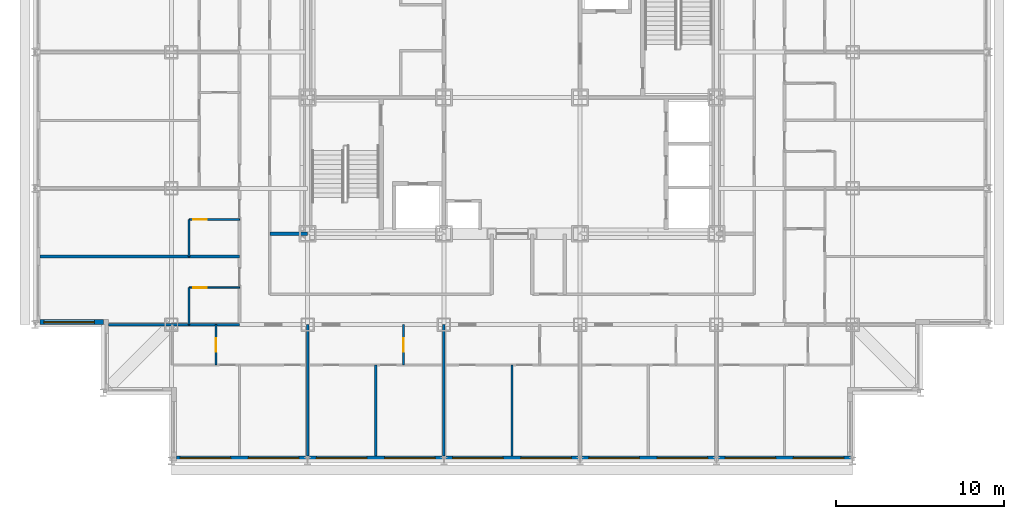
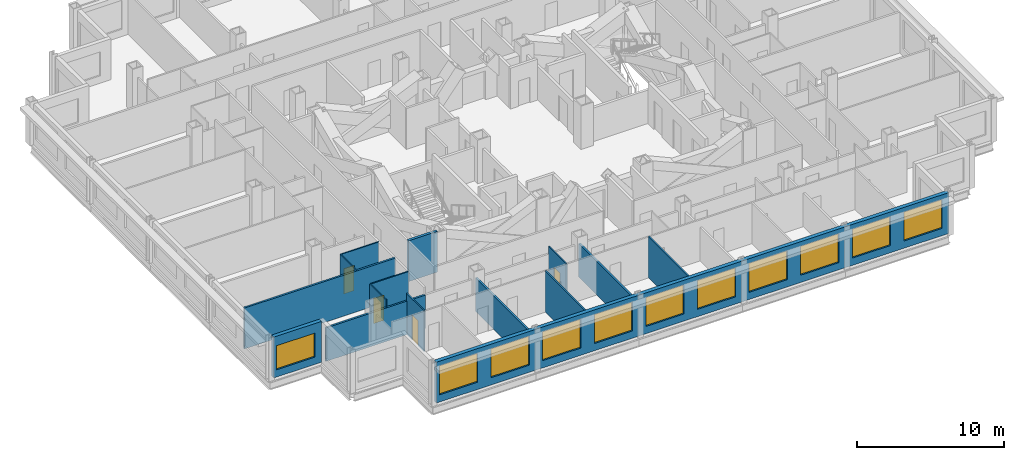
# One storey, part 4 of 12: 15 walls, 11 windows, 4 doors, 15 openings.
"""IFC4 building model written with IfcOpenShell, lengths in metres."""

from ifc_helpers import new_model, si_unit, direction, frame, frame_2d, origin, place, context, subcontext, project, spatial, rectangle, extrude, material, layer, layer_set, type_object, element, fill, save


model = new_model("IFC4")

# Units and contexts
model_context = context("Model", 3, precision=1e-05, world=origin(), true_north=direction((0.0, 1.0)))
body_context = subcontext(model_context, "Body", "Model", "MODEL_VIEW")
ifc_project = project(units=[si_unit("LENGTHUNIT", "METRE"), si_unit("AREAUNIT", "SQUARE_METRE"), si_unit("VOLUMEUNIT", "CUBIC_METRE"), si_unit("PLANEANGLEUNIT", "RADIAN"), si_unit("MASSUNIT", "GRAM", prefix="KILO")], contexts=[model_context])

# Site, building, storey
site_placement = place(None, origin())
site = spatial("IfcSite", under=ifc_project, at=site_placement, CompositionType="ELEMENT")
building_placement = place(site_placement, origin())
building = spatial("IfcBuilding", under=site, at=building_placement, Name="Kopane Lantern Tower", CompositionType="ELEMENT")
storey_placement = place(building_placement, frame((0.0, 0.0, 184.800048828125)))
storey = spatial("IfcBuildingStorey", under=building, at=storey_placement, Name="L47", CompositionType="ELEMENT", Elevation=184.800048828125)

# Walls
ifc_material_1 = material(Name="Gypsum board on steel studs", Category="steel")
ifc_layer_1 = layer(ifc_material_1, 0.1201171875)
ifc_layer_set_1 = layer_set([ifc_layer_1], Name="APARTMENT INTERNAL WALL 120")
wall_type_1 = type_object("IfcWallType", Name="APARTMENT INTERNAL WALL 120", PredefinedType="PARTITIONING", material=ifc_layer_set_1)
for number, where, z_axis, x_axis, name in (
    (1, (20.25, 16.5, 0.0), (0.0, 0.0, 1.0), (0.0, -1.0, 0.0), "Apartment Internal Wall 120 L47"),
    (2, (28.35009765625, 16.5, 0.0), (0.0, 0.0, 1.0), (0.0, -1.0, 0.0), "Apartment Internal Wall 120 L47"),
):
    element("IfcWall", number, at=place(storey_placement, frame(where, z_axis=z_axis, x_axis=x_axis)), inside=storey, type_object=wall_type_1, Name=name, PredefinedType="PARTITIONING", context=body_context, shape_type="SweptSolid", body=[
        extrude(rectangle(XDim=5.39990234375, YDim=0.1201171875, at=frame_2d((2.699951171875, 0.0))), origin(), (0.0, 0.0, 1.0), 3.389892578125),
    ])

# Wall, opening, door
ifc_material_2 = material(Name="Moisture-resistant board on steel studs", Category="steel")
ifc_layer_2 = layer(ifc_material_2, 0.10009765625)
ifc_layer_set_2 = layer_set([ifc_layer_2], Name="BATHROOM WALL 100")
wall_type_2 = type_object("IfcWallType", Name="BATHROOM WALL 100", PredefinedType="PARTITIONING", material=ifc_layer_set_2)
wall_1_placement = place(storey_placement, frame((21.89990234375, 18.89990234375, 0.0), z_axis=(0.0, 0.0, 1.0), x_axis=(0.0, -1.0, 0.0)))
wall_1 = element("IfcWall", 3, at=wall_1_placement, inside=storey, type_object=wall_type_2, Name="Bathroom Wall 100 L47", PredefinedType="PARTITIONING", context=body_context, shape_type="SweptSolid", body=[
    extrude(rectangle(XDim=2.39990234375, YDim=0.10009765625, at=frame_2d((1.199951171875, 0.0))), origin(), (0.0, 0.0, 1.0), 3.389892578125),
])
opening_1_placement = place(wall_1_placement, frame((0.800048828125, 0.0, 0.0)))
opening_1 = element("IfcOpeningElement", 4, at=opening_1_placement, cuts=wall_1, Name="Opening L47-012", PredefinedType="OPENING", context=body_context, shape_type="SweptSolid", body=[
    extrude(rectangle(XDim=0.800048828125, YDim=2.10009765625, at=frame_2d((0.39990234375, 1.050048828125))), frame((0.0, 0.06005859375, 0.0), z_axis=(0.0, -1.0, 0.0), x_axis=(1.0, 0.0, 0.0)), (0.0, 0.0, 1.0), 0.1201171875),
])
ifc_material_3 = material(Name="Timber door set", Category="wood")
door_type = type_object("IfcDoorType", Name="DOOR D2 800x2100", OperationType="SINGLE_SWING_LEFT", PredefinedType="DOOR", material=ifc_material_3)
door_1_placement = place(opening_1_placement, origin())
door_1 = element("IfcDoor", 5, at=door_1_placement, inside=storey, type_object=door_type, Name="Door L47-012", OperationType="SINGLE_SWING_LEFT", OverallHeight=2.10009765625, OverallWidth=0.800048828125, PredefinedType="DOOR", context=body_context, shape_type="SweptSolid", body=[
    extrude(rectangle(XDim=0.800048828125, YDim=2.10009765625, at=frame_2d((0.39990234375, 1.050048828125))), frame((0.0, 0.02490234375, 0.0), z_axis=(0.0, -1.0, 0.0), x_axis=(1.0, 0.0, 0.0)), (0.0, 0.0, 1.0), 0.050048828125),
])
fill(opening_1, door_1)

# Wall
wall_2_placement = place(storey_placement, frame((9.14990234375, 18.89990234375, 0.0), z_axis=(0.0, 0.0, 1.0), x_axis=(0.0, 1.0, 0.0)))
element("IfcWall", 6, at=wall_2_placement, inside=storey, type_object=wall_type_2, Name="Bathroom Wall 100 L47", PredefinedType="PARTITIONING", context=body_context, shape_type="SweptSolid", body=[
    extrude(rectangle(XDim=2.2001953125, YDim=0.10009765625, at=frame_2d((1.10009765625, 0.0))), origin(), (0.0, 0.0, 1.0), 3.389892578125),
])

# Wall, opening, door
wall_3_placement = place(storey_placement, frame((12.14990234375, 21.10009765625, 0.0), z_axis=(0.0, 0.0, 1.0), x_axis=(-1.0, 0.0, 0.0)))
wall_3 = element("IfcWall", 7, at=wall_3_placement, inside=storey, type_object=wall_type_2, Name="Bathroom Wall 100 L47", PredefinedType="PARTITIONING", context=body_context, shape_type="SweptSolid", body=[
    extrude(rectangle(XDim=3.0, YDim=0.10009765625, at=frame_2d((1.5, 0.0))), origin(), (0.0, 0.0, 1.0), 3.389892578125),
])
opening_2_placement = place(wall_3_placement, frame((1.949951171875, 0.0, 0.0)))
opening_2 = element("IfcOpeningElement", 8, at=opening_2_placement, cuts=wall_3, Name="Opening L47-032", PredefinedType="OPENING", context=body_context, shape_type="SweptSolid", body=[
    extrude(rectangle(XDim=0.800048828125, YDim=2.10009765625, at=frame_2d((0.39990234375, 1.050048828125))), frame((0.0, 0.06005859375, 0.0), z_axis=(0.0, -1.0, 0.0), x_axis=(1.0, 0.0, 0.0)), (0.0, 0.0, 1.0), 0.1201171875),
])
door_2_placement = place(opening_2_placement, origin())
door_2 = element("IfcDoor", 9, at=door_2_placement, inside=storey, type_object=door_type, Name="Door L47-032", OperationType="SINGLE_SWING_RIGHT", OverallHeight=2.10009765625, OverallWidth=0.800048828125, PredefinedType="DOOR", context=body_context, shape_type="SweptSolid", body=[
    extrude(rectangle(XDim=0.800048828125, YDim=2.10009765625, at=frame_2d((0.39990234375, 1.050048828125))), frame((0.0, 0.02490234375, 0.0), z_axis=(0.0, -1.0, 0.0), x_axis=(1.0, 0.0, 0.0)), (0.0, 0.0, 1.0), 0.050048828125),
])
fill(opening_2, door_2)

# Wall
wall_4_placement = place(storey_placement, frame((9.14990234375, 22.949951171875, 0.0), z_axis=(0.0, 0.0, 1.0), x_axis=(0.0, 1.0, 0.0)))
element("IfcWall", 10, at=wall_4_placement, inside=storey, type_object=wall_type_2, Name="Bathroom Wall 100 L47", PredefinedType="PARTITIONING", context=body_context, shape_type="SweptSolid", body=[
    extrude(rectangle(XDim=2.199951171875, YDim=0.10009765625, at=frame_2d((1.10009765625, 0.0))), origin(), (0.0, 0.0, 1.0), 3.389892578125),
])

# Wall, opening, door
wall_5_placement = place(storey_placement, frame((12.14990234375, 25.14990234375, 0.0), z_axis=(0.0, 0.0, 1.0), x_axis=(-1.0, 0.0, 0.0)))
wall_5 = element("IfcWall", 11, at=wall_5_placement, inside=storey, type_object=wall_type_2, Name="Bathroom Wall 100 L47", PredefinedType="PARTITIONING", context=body_context, shape_type="SweptSolid", body=[
    extrude(rectangle(XDim=3.0, YDim=0.10009765625, at=frame_2d((1.5, 0.0))), origin(), (0.0, 0.0, 1.0), 3.389892578125),
])
opening_3_placement = place(wall_5_placement, frame((1.949951171875, 0.0, 0.0)))
opening_3 = element("IfcOpeningElement", 12, at=opening_3_placement, cuts=wall_5, Name="Opening L47-034", PredefinedType="OPENING", context=body_context, shape_type="SweptSolid", body=[
    extrude(rectangle(XDim=0.800048828125, YDim=2.10009765625, at=frame_2d((0.39990234375, 1.050048828125))), frame((0.0, 0.06005859375, 0.0), z_axis=(0.0, -1.0, 0.0), x_axis=(1.0, 0.0, 0.0)), (0.0, 0.0, 1.0), 0.1201171875),
])
door_3_placement = place(opening_3_placement, origin())
door_3 = element("IfcDoor", 13, at=door_3_placement, inside=storey, type_object=door_type, Name="Door L47-034", OperationType="SINGLE_SWING_RIGHT", OverallHeight=2.10009765625, OverallWidth=0.800048828125, PredefinedType="DOOR", context=body_context, shape_type="SweptSolid", body=[
    extrude(rectangle(XDim=0.800048828125, YDim=2.10009765625, at=frame_2d((0.39990234375, 1.050048828125))), frame((0.0, 0.02490234375, 0.0), z_axis=(0.0, -1.0, 0.0), x_axis=(1.0, 0.0, 0.0)), (0.0, 0.0, 1.0), 0.050048828125),
])
fill(opening_3, door_3)

wall_6_placement = place(storey_placement, frame((10.75, 18.89990234375, 0.0), z_axis=(0.0, 0.0, 1.0), x_axis=(0.0, -1.0, 0.0)))
wall_6 = element("IfcWall", 14, at=wall_6_placement, inside=storey, type_object=wall_type_2, Name="Bathroom Wall 100 L47", PredefinedType="PARTITIONING", context=body_context, shape_type="SweptSolid", body=[
    extrude(rectangle(XDim=2.39990234375, YDim=0.10009765625, at=frame_2d((1.199951171875, 0.0))), origin(), (0.0, 0.0, 1.0), 3.389892578125),
])
opening_4_placement = place(wall_6_placement, frame((0.800048828125, 0.0, 0.0)))
opening_4 = element("IfcOpeningElement", 15, at=opening_4_placement, cuts=wall_6, Name="Opening L47-062", PredefinedType="OPENING", context=body_context, shape_type="SweptSolid", body=[
    extrude(rectangle(XDim=0.800048828125, YDim=2.10009765625, at=frame_2d((0.39990234375, 1.050048828125))), frame((0.0, 0.06005859375, 0.0), z_axis=(0.0, -1.0, 0.0), x_axis=(1.0, 0.0, 0.0)), (0.0, 0.0, 1.0), 0.1201171875),
])
door_4_placement = place(opening_4_placement, origin())
door_4 = element("IfcDoor", 16, at=door_4_placement, inside=storey, type_object=door_type, Name="Door L47-062", OperationType="SINGLE_SWING_RIGHT", OverallHeight=2.10009765625, OverallWidth=0.800048828125, PredefinedType="DOOR", context=body_context, shape_type="SweptSolid", body=[
    extrude(rectangle(XDim=0.800048828125, YDim=2.10009765625, at=frame_2d((0.39990234375, 1.050048828125))), frame((0.0, 0.02490234375, 0.0), z_axis=(0.0, -1.0, 0.0), x_axis=(1.0, 0.0, 0.0)), (0.0, 0.0, 1.0), 0.050048828125),
])
fill(opening_4, door_4)

# Walls
ifc_material_4 = material(Name="Gypsum board on steel studs", Category="steel")
ifc_layer_3 = layer(ifc_material_4, 0.14990234375)
ifc_layer_set_3 = layer_set([ifc_layer_3], Name="DEMISING WALL 150 EI 60")
wall_type_3 = type_object("IfcWallType", Name="DEMISING WALL 150 EI 60", PredefinedType="PARTITIONING", material=ifc_layer_set_3)
wall_7_placement = place(storey_placement, frame((24.300048828125, 18.89990234375, 0.0), z_axis=(0.0, 0.0, 1.0), x_axis=(0.0, -1.0, 0.0)))
element("IfcWall", 17, at=wall_7_placement, inside=storey, type_object=wall_type_3, Name="Demising Wall 150 Ei 60 L47", PredefinedType="PARTITIONING", context=body_context, shape_type="SweptSolid", body=[
    extrude(rectangle(XDim=7.7998046875, YDim=0.14990234375, at=frame_2d((3.89990234375, 0.0))), origin(), (0.0, 0.0, 1.0), 2.77783203125),
])
wall_8_placement = place(storey_placement, frame((12.14990234375, 22.949951171875, 0.0), z_axis=(0.0, 0.0, 1.0), x_axis=(-1.0, 0.0, 0.0)))
element("IfcWall", 18, at=wall_8_placement, inside=storey, type_object=wall_type_3, Name="Demising Wall 150 Ei 60 L47", PredefinedType="PARTITIONING", context=body_context, shape_type="SweptSolid", body=[
    extrude(rectangle(XDim=11.849853515625, YDim=0.14990234375, at=frame_2d((5.9248046875, 0.0))), origin(), (0.0, 0.0, 1.0), 3.389892578125),
])
for number, where, z_axis, x_axis, name in (
    (19, (4.35009765625, 18.89990234375, 0.0), (0.0, 0.0, 1.0), (1.0, 0.0, 0.0), "Demising Wall 150 Ei 60 L47"),
    (20, (16.199951171875, 18.89990234375, 0.0), (0.0, 0.0, 1.0), (0.0, -1.0, 0.0), "Demising Wall 150 Ei 60 L47"),
):
    element("IfcWall", number, at=place(storey_placement, frame(where, z_axis=z_axis, x_axis=x_axis)), inside=storey, type_object=wall_type_3, Name=name, PredefinedType="PARTITIONING", context=body_context, shape_type="SweptSolid", body=[
        extrude(rectangle(XDim=7.7998046875, YDim=0.14990234375, at=frame_2d((3.89990234375, 0.0))), origin(), (0.0, 0.0, 1.0), 2.77783203125),
    ])

# Wall, openings, windows
ifc_material_5 = material(Name="Terracotta rainscreen on light steel framing", Category="masonry")
ifc_layer_4 = layer(ifc_material_5, 0.300048828125)
ifc_layer_set_4 = layer_set([ifc_layer_4], Name="EXTERNAL WALL EW1 300 TERRACOTTA")
wall_type_4 = type_object("IfcWallType", Name="EXTERNAL WALL EW1 300 TERRACOTTA", PredefinedType="SOLIDWALL", material=ifc_layer_set_4)
wall_9_placement = place(storey_placement, frame((8.39990234375, 10.949951171875, 0.0), z_axis=(0.0, 0.0, 1.0), x_axis=(1.0, 0.0, 0.0)))
wall_9 = element("IfcWall", 21, at=wall_9_placement, inside=storey, type_object=wall_type_4, Name="External wall S L47", PredefinedType="SOLIDWALL", context=body_context, shape_type="SweptSolid", body=[
    extrude(rectangle(XDim=40.2001953125, YDim=0.300048828125, at=frame_2d((20.10009765625, 0.0))), origin(), (0.0, 0.0, 1.0), 3.389892578125),
])
opening_5_placement = place(wall_9_placement, frame((0.22509765625, 0.0, 0.60009765625)))
opening_5 = element("IfcOpeningElement", 22, at=opening_5_placement, cuts=wall_9, Name="Opening WR300240", PredefinedType="OPENING", context=body_context, shape_type="SweptSolid", body=[
    extrude(rectangle(XDim=3.0, YDim=2.39990234375, at=frame_2d((1.5, 1.199951171875))), frame((0.0, 0.159912109375, 0.0), z_axis=(0.0, -1.0, 0.0), x_axis=(1.0, 0.0, 0.0)), (0.0, 0.0, 1.0), 0.320068359375),
])
opening_6_placement = place(wall_9_placement, frame((4.27490234375, 0.0, 0.60009765625)))
opening_6 = element("IfcOpeningElement", 23, at=opening_6_placement, cuts=wall_9, Name="Opening WR300240", PredefinedType="OPENING", context=body_context, shape_type="SweptSolid", body=[
    extrude(rectangle(XDim=3.0, YDim=2.39990234375, at=frame_2d((1.5, 1.199951171875))), frame((0.0, 0.159912109375, 0.0), z_axis=(0.0, -1.0, 0.0), x_axis=(1.0, 0.0, 0.0)), (0.0, 0.0, 1.0), 0.320068359375),
])
opening_7_placement = place(wall_9_placement, frame((8.324951171875, 0.0, 0.60009765625)))
opening_7 = element("IfcOpeningElement", 24, at=opening_7_placement, cuts=wall_9, Name="Opening WR300240", PredefinedType="OPENING", context=body_context, shape_type="SweptSolid", body=[
    extrude(rectangle(XDim=3.0, YDim=2.39990234375, at=frame_2d((1.5, 1.199951171875))), frame((0.0, 0.159912109375, 0.0), z_axis=(0.0, -1.0, 0.0), x_axis=(1.0, 0.0, 0.0)), (0.0, 0.0, 1.0), 0.320068359375),
])
opening_8_placement = place(wall_9_placement, frame((12.375, 0.0, 0.60009765625)))
opening_8 = element("IfcOpeningElement", 25, at=opening_8_placement, cuts=wall_9, Name="Opening WR300240", PredefinedType="OPENING", context=body_context, shape_type="SweptSolid", body=[
    extrude(rectangle(XDim=3.0, YDim=2.39990234375, at=frame_2d((1.5, 1.199951171875))), frame((0.0, 0.159912109375, 0.0), z_axis=(0.0, -1.0, 0.0), x_axis=(1.0, 0.0, 0.0)), (0.0, 0.0, 1.0), 0.320068359375),
])
opening_9_placement = place(wall_9_placement, frame((16.425048828125, 0.0, 0.60009765625)))
opening_9 = element("IfcOpeningElement", 26, at=opening_9_placement, cuts=wall_9, Name="Opening WR300240", PredefinedType="OPENING", context=body_context, shape_type="SweptSolid", body=[
    extrude(rectangle(XDim=3.0, YDim=2.39990234375, at=frame_2d((1.5, 1.199951171875))), frame((0.0, 0.159912109375, 0.0), z_axis=(0.0, -1.0, 0.0), x_axis=(1.0, 0.0, 0.0)), (0.0, 0.0, 1.0), 0.320068359375),
])
opening_10_placement = place(wall_9_placement, frame((20.47509765625, 0.0, 0.60009765625)))
opening_10 = element("IfcOpeningElement", 27, at=opening_10_placement, cuts=wall_9, Name="Opening WR300240", PredefinedType="OPENING", context=body_context, shape_type="SweptSolid", body=[
    extrude(rectangle(XDim=3.0, YDim=2.39990234375, at=frame_2d((1.5, 1.199951171875))), frame((0.0, 0.159912109375, 0.0), z_axis=(0.0, -1.0, 0.0), x_axis=(1.0, 0.0, 0.0)), (0.0, 0.0, 1.0), 0.320068359375),
])
opening_11_placement = place(wall_9_placement, frame((24.52490234375, 0.0, 0.60009765625)))
opening_11 = element("IfcOpeningElement", 28, at=opening_11_placement, cuts=wall_9, Name="Opening WR300240", PredefinedType="OPENING", context=body_context, shape_type="SweptSolid", body=[
    extrude(rectangle(XDim=3.0, YDim=2.39990234375, at=frame_2d((1.5, 1.199951171875))), frame((0.0, 0.159912109375, 0.0), z_axis=(0.0, -1.0, 0.0), x_axis=(1.0, 0.0, 0.0)), (0.0, 0.0, 1.0), 0.320068359375),
])
opening_12_placement = place(wall_9_placement, frame((28.574951171875, 0.0, 0.60009765625)))
opening_12 = element("IfcOpeningElement", 29, at=opening_12_placement, cuts=wall_9, Name="Opening WR300240", PredefinedType="OPENING", context=body_context, shape_type="SweptSolid", body=[
    extrude(rectangle(XDim=3.0, YDim=2.39990234375, at=frame_2d((1.5, 1.199951171875))), frame((0.0, 0.159912109375, 0.0), z_axis=(0.0, -1.0, 0.0), x_axis=(1.0, 0.0, 0.0)), (0.0, 0.0, 1.0), 0.320068359375),
])
opening_13_placement = place(wall_9_placement, frame((32.625, 0.0, 0.60009765625)))
opening_13 = element("IfcOpeningElement", 30, at=opening_13_placement, cuts=wall_9, Name="Opening WR300240", PredefinedType="OPENING", context=body_context, shape_type="SweptSolid", body=[
    extrude(rectangle(XDim=3.0, YDim=2.39990234375, at=frame_2d((1.5, 1.199951171875))), frame((0.0, 0.159912109375, 0.0), z_axis=(0.0, -1.0, 0.0), x_axis=(1.0, 0.0, 0.0)), (0.0, 0.0, 1.0), 0.320068359375),
])
opening_14_placement = place(wall_9_placement, frame((36.675048828125, 0.0, 0.60009765625)))
opening_14 = element("IfcOpeningElement", 31, at=opening_14_placement, cuts=wall_9, Name="Opening WR300240", PredefinedType="OPENING", context=body_context, shape_type="SweptSolid", body=[
    extrude(rectangle(XDim=3.0, YDim=2.39990234375, at=frame_2d((1.5, 1.199951171875))), frame((0.0, 0.159912109375, 0.0), z_axis=(0.0, -1.0, 0.0), x_axis=(1.0, 0.0, 0.0)), (0.0, 0.0, 1.0), 0.320068359375),
])
ifc_material_6 = material(Name="Aluminium and clear glass", Category="aluminium")
window_type_1 = type_object("IfcWindowType", Name="RIBBON WINDOW WR300240 3000x2400", PartitioningType="SINGLE_PANEL", PredefinedType="WINDOW", material=ifc_material_6)
window_1_placement = place(opening_5_placement, origin())
window_1 = element("IfcWindow", 32, at=window_1_placement, inside=storey, type_object=window_type_1, Name="Window S L47", OverallHeight=2.39990234375, OverallWidth=3.0, PartitioningType="SINGLE_PANEL", PredefinedType="WINDOW", context=body_context, shape_type="SweptSolid", body=[
    extrude(rectangle(XDim=3.0, YDim=2.39990234375, at=frame_2d((1.5, 1.199951171875))), frame((0.0, 0.030029296875, 0.0), z_axis=(0.0, -1.0, 0.0), x_axis=(1.0, 0.0, 0.0)), (0.0, 0.0, 1.0), 0.06005859375),
])
fill(opening_5, window_1)
window_2_placement = place(opening_6_placement, origin())
window_2 = element("IfcWindow", 33, at=window_2_placement, inside=storey, type_object=window_type_1, Name="Window S L47", OverallHeight=2.39990234375, OverallWidth=3.0, PartitioningType="SINGLE_PANEL", PredefinedType="WINDOW", context=body_context, shape_type="SweptSolid", body=[
    extrude(rectangle(XDim=3.0, YDim=2.39990234375, at=frame_2d((1.5, 1.199951171875))), frame((0.0, 0.030029296875, 0.0), z_axis=(0.0, -1.0, 0.0), x_axis=(1.0, 0.0, 0.0)), (0.0, 0.0, 1.0), 0.06005859375),
])
fill(opening_6, window_2)
window_3_placement = place(opening_7_placement, origin())
window_3 = element("IfcWindow", 34, at=window_3_placement, inside=storey, type_object=window_type_1, Name="Window S L47", OverallHeight=2.39990234375, OverallWidth=3.0, PartitioningType="SINGLE_PANEL", PredefinedType="WINDOW", context=body_context, shape_type="SweptSolid", body=[
    extrude(rectangle(XDim=3.0, YDim=2.39990234375, at=frame_2d((1.5, 1.199951171875))), frame((0.0, 0.030029296875, 0.0), z_axis=(0.0, -1.0, 0.0), x_axis=(1.0, 0.0, 0.0)), (0.0, 0.0, 1.0), 0.06005859375),
])
fill(opening_7, window_3)
window_4_placement = place(opening_8_placement, origin())
window_4 = element("IfcWindow", 35, at=window_4_placement, inside=storey, type_object=window_type_1, Name="Window S L47", OverallHeight=2.39990234375, OverallWidth=3.0, PartitioningType="SINGLE_PANEL", PredefinedType="WINDOW", context=body_context, shape_type="SweptSolid", body=[
    extrude(rectangle(XDim=3.0, YDim=2.39990234375, at=frame_2d((1.5, 1.199951171875))), frame((0.0, 0.030029296875, 0.0), z_axis=(0.0, -1.0, 0.0), x_axis=(1.0, 0.0, 0.0)), (0.0, 0.0, 1.0), 0.06005859375),
])
fill(opening_8, window_4)
window_5_placement = place(opening_9_placement, origin())
window_5 = element("IfcWindow", 36, at=window_5_placement, inside=storey, type_object=window_type_1, Name="Window S L47", OverallHeight=2.39990234375, OverallWidth=3.0, PartitioningType="SINGLE_PANEL", PredefinedType="WINDOW", context=body_context, shape_type="SweptSolid", body=[
    extrude(rectangle(XDim=3.0, YDim=2.39990234375, at=frame_2d((1.5, 1.199951171875))), frame((0.0, 0.030029296875, 0.0), z_axis=(0.0, -1.0, 0.0), x_axis=(1.0, 0.0, 0.0)), (0.0, 0.0, 1.0), 0.06005859375),
])
fill(opening_9, window_5)
window_6_placement = place(opening_10_placement, origin())
window_6 = element("IfcWindow", 37, at=window_6_placement, inside=storey, type_object=window_type_1, Name="Window S L47", OverallHeight=2.39990234375, OverallWidth=3.0, PartitioningType="SINGLE_PANEL", PredefinedType="WINDOW", context=body_context, shape_type="SweptSolid", body=[
    extrude(rectangle(XDim=3.0, YDim=2.39990234375, at=frame_2d((1.5, 1.199951171875))), frame((0.0, 0.030029296875, 0.0), z_axis=(0.0, -1.0, 0.0), x_axis=(1.0, 0.0, 0.0)), (0.0, 0.0, 1.0), 0.06005859375),
])
fill(opening_10, window_6)
window_7_placement = place(opening_11_placement, origin())
window_7 = element("IfcWindow", 38, at=window_7_placement, inside=storey, type_object=window_type_1, Name="Window S L47", OverallHeight=2.39990234375, OverallWidth=3.0, PartitioningType="SINGLE_PANEL", PredefinedType="WINDOW", context=body_context, shape_type="SweptSolid", body=[
    extrude(rectangle(XDim=3.0, YDim=2.39990234375, at=frame_2d((1.5, 1.199951171875))), frame((0.0, 0.030029296875, 0.0), z_axis=(0.0, -1.0, 0.0), x_axis=(1.0, 0.0, 0.0)), (0.0, 0.0, 1.0), 0.06005859375),
])
fill(opening_11, window_7)
window_8_placement = place(opening_12_placement, origin())
window_8 = element("IfcWindow", 39, at=window_8_placement, inside=storey, type_object=window_type_1, Name="Window S L47", OverallHeight=2.39990234375, OverallWidth=3.0, PartitioningType="SINGLE_PANEL", PredefinedType="WINDOW", context=body_context, shape_type="SweptSolid", body=[
    extrude(rectangle(XDim=3.0, YDim=2.39990234375, at=frame_2d((1.5, 1.199951171875))), frame((0.0, 0.030029296875, 0.0), z_axis=(0.0, -1.0, 0.0), x_axis=(1.0, 0.0, 0.0)), (0.0, 0.0, 1.0), 0.06005859375),
])
fill(opening_12, window_8)
window_9_placement = place(opening_13_placement, origin())
window_9 = element("IfcWindow", 40, at=window_9_placement, inside=storey, type_object=window_type_1, Name="Window S L47", OverallHeight=2.39990234375, OverallWidth=3.0, PartitioningType="SINGLE_PANEL", PredefinedType="WINDOW", context=body_context, shape_type="SweptSolid", body=[
    extrude(rectangle(XDim=3.0, YDim=2.39990234375, at=frame_2d((1.5, 1.199951171875))), frame((0.0, 0.030029296875, 0.0), z_axis=(0.0, -1.0, 0.0), x_axis=(1.0, 0.0, 0.0)), (0.0, 0.0, 1.0), 0.06005859375),
])
fill(opening_13, window_9)
window_10_placement = place(opening_14_placement, origin())
window_10 = element("IfcWindow", 41, at=window_10_placement, inside=storey, type_object=window_type_1, Name="Window S L47", OverallHeight=2.39990234375, OverallWidth=3.0, PartitioningType="SINGLE_PANEL", PredefinedType="WINDOW", context=body_context, shape_type="SweptSolid", body=[
    extrude(rectangle(XDim=3.0, YDim=2.39990234375, at=frame_2d((1.5, 1.199951171875))), frame((0.0, 0.030029296875, 0.0), z_axis=(0.0, -1.0, 0.0), x_axis=(1.0, 0.0, 0.0)), (0.0, 0.0, 1.0), 0.06005859375),
])
fill(opening_14, window_10)

# Wall, opening, window
wall_10_placement = place(storey_placement, frame((0.300048828125, 19.050048828125, 0.0), z_axis=(0.0, 0.0, 1.0), x_axis=(1.0, 0.0, 0.0)))
wall_10 = element("IfcWall", 42, at=wall_10_placement, inside=storey, type_object=wall_type_4, Name="External wall S L47", PredefinedType="SOLIDWALL", context=body_context, shape_type="SweptSolid", body=[
    extrude(rectangle(XDim=3.75, YDim=0.300048828125, at=frame_2d((1.875, 0.0))), origin(), (0.0, 0.0, 1.0), 3.389892578125),
])
opening_15_placement = place(wall_10_placement, frame((0.22509765625, 0.0, 0.60009765625)))
opening_15 = element("IfcOpeningElement", 43, at=opening_15_placement, cuts=wall_10, Name="Opening WR300200", PredefinedType="OPENING", context=body_context, shape_type="SweptSolid", body=[
    extrude(rectangle(XDim=3.0, YDim=2.0, at=frame_2d((1.5, 1.0))), frame((0.0, 0.159912109375, 0.0), z_axis=(0.0, -1.0, 0.0), x_axis=(1.0, 0.0, 0.0)), (0.0, 0.0, 1.0), 0.320068359375),
])
ifc_material_7 = material(Name="Aluminium and clear glass", Category="aluminium")
window_type_2 = type_object("IfcWindowType", Name="RIBBON WINDOW WR300200 3000x2000", PartitioningType="SINGLE_PANEL", PredefinedType="WINDOW", material=ifc_material_7)
window_11_placement = place(opening_15_placement, origin())
window_11 = element("IfcWindow", 44, at=window_11_placement, inside=storey, type_object=window_type_2, Name="Window S L47", OverallHeight=2.0, OverallWidth=3.0, PartitioningType="SINGLE_PANEL", PredefinedType="WINDOW", context=body_context, shape_type="SweptSolid", body=[
    extrude(rectangle(XDim=3.0, YDim=2.0, at=frame_2d((1.5, 1.0))), frame((0.0, 0.030029296875, 0.0), z_axis=(0.0, -1.0, 0.0), x_axis=(1.0, 0.0, 0.0)), (0.0, 0.0, 1.0), 0.06005859375),
])
fill(opening_15, window_11)

# Wall
ifc_material_8 = material(Name="Concrete masonry", Category="masonry")
ifc_layer_5 = layer(ifc_material_8, 0.199951171875)
ifc_layer_set_5 = layer_set([ifc_layer_5], Name="PLANT ROOM WALL 200 EI 120")
wall_type_5 = type_object("IfcWallType", Name="PLANT ROOM WALL 200 EI 120", PredefinedType="SOLIDWALL", material=ifc_layer_set_5)
wall_11_placement = place(storey_placement, frame((13.949951171875, 24.300048828125, 0.0), z_axis=(0.0, 0.0, 1.0), x_axis=(1.0, 0.0, 0.0)))
element("IfcWall", 45, at=wall_11_placement, inside=storey, type_object=wall_type_5, Name="Plant Room Wall 200 Ei 120 L47", PredefinedType="SOLIDWALL", context=body_context, shape_type="SweptSolid", body=[
    extrude(rectangle(XDim=2.25, YDim=0.199951171875, at=frame_2d((1.125, 0.0))), origin(), (0.0, 0.0, 1.0), 3.389892578125),
])

save(model, "model.ifc")
